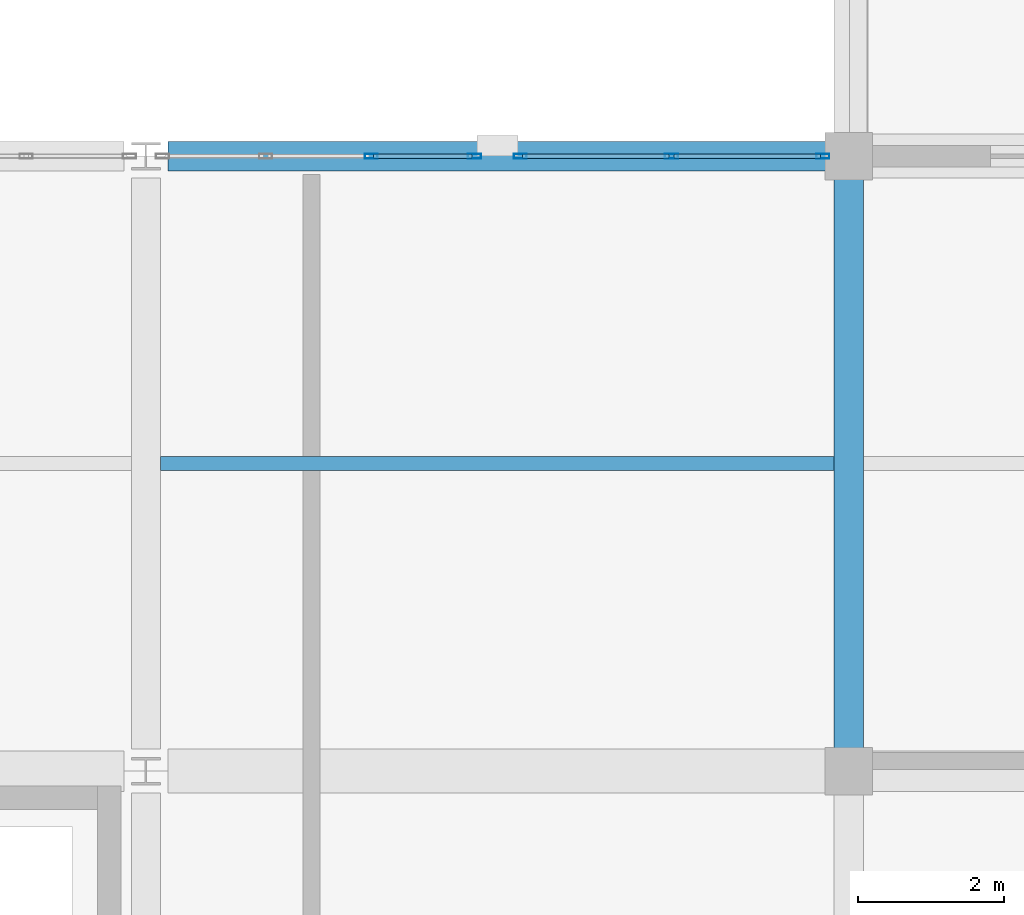
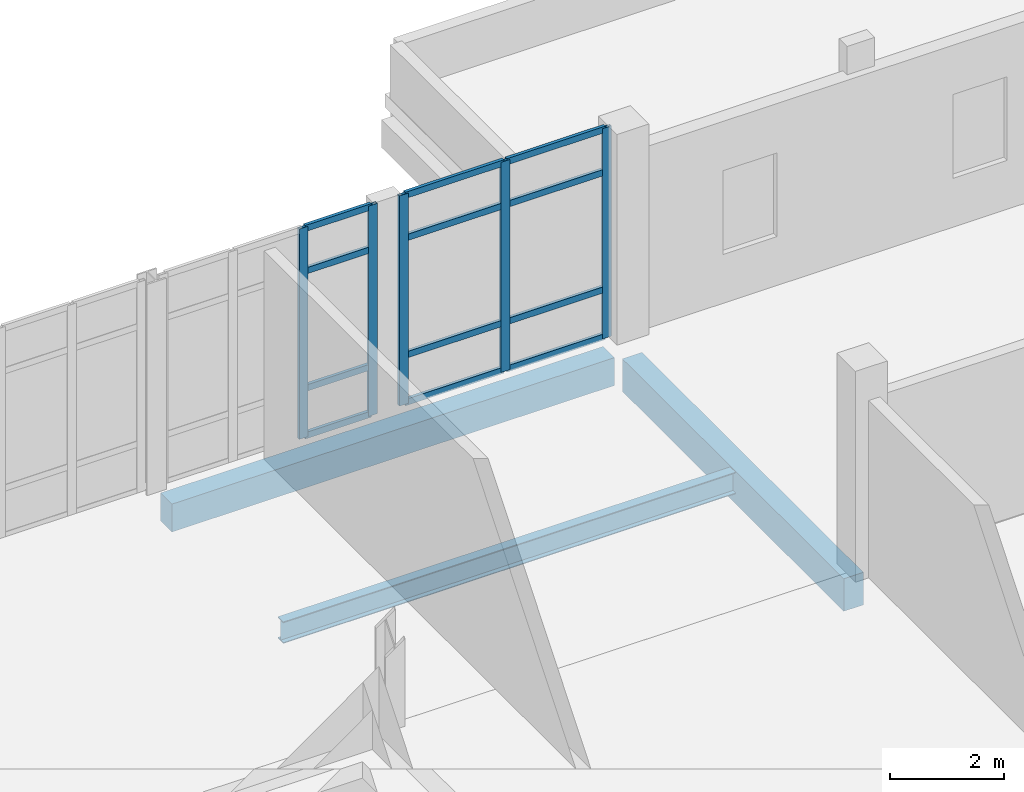
# One storey, part 59 of 102: 17 members, 3 beams, 2 elements without a shape of their own.
"""IFC4 building model written with IfcOpenShell, lengths in metres."""

from ifc_helpers import new_model, si_unit, direction, frame, origin, origin_2d, place, context, subcontext, project, spatial, rectangle, hollow_rectangle, i_section, extrude, material, layer, layer_set, material_profile, profile_set, type_object, element, aggregate, save


model = new_model("IFC4")

# Units and contexts
model_context = context("Model", 3, precision=1e-05, world=origin(), true_north=direction((0.0, 1.0)))
body_context = subcontext(model_context, "Body", "Model", "MODEL_VIEW")
ifc_project = project(units=[si_unit("LENGTHUNIT", "METRE"), si_unit("AREAUNIT", "SQUARE_METRE"), si_unit("VOLUMEUNIT", "CUBIC_METRE"), si_unit("PLANEANGLEUNIT", "RADIAN"), si_unit("MASSUNIT", "GRAM", prefix="KILO")], contexts=[model_context])

# Site, building, storey
site_placement = place(None, origin())
site = spatial("IfcSite", under=ifc_project, at=site_placement, CompositionType="ELEMENT")
building_placement = place(site_placement, origin())
building = spatial("IfcBuilding", under=site, at=building_placement, Name="Lornevale Opera House", CompositionType="ELEMENT")
storey_placement = place(building_placement, frame((0.0, 0.0, 5.39990234375)))
storey = spatial("IfcBuildingStorey", under=building, at=storey_placement, Name="L02", CompositionType="ELEMENT", Elevation=5.39990234375)

# Beams
ifc_material_1 = material(Name="Concrete 35 MPa (CSA A23.1 N)", Category="concrete")
ifc_material_profile_1 = material_profile(ifc_material_1, rectangle(XDim=0.39990234375, YDim=0.699951171875, at=origin_2d()), Name="RC400x700")
ifc_profile_set_1 = profile_set([ifc_material_profile_1], Name="Concrete 35 MPa (CSA A23.1 N)")
beam_type_1 = type_object("IfcBeamType", Name="Concrete Floor Beam 400x700", PredefinedType="USERDEFINED", material=ifc_profile_set_1)
beam_1_placement = place(storey_placement, frame((38.39990234375, 92.699951171875, -0.699951171875), z_axis=(0.0, 1.0, 0.0), x_axis=(-1.0, 0.0, 0.0)))
element("IfcBeam", 1, at=beam_1_placement, inside=storey, type_object=beam_type_1, Name="Concrete Floor Beam 400x700 1868", ObjectType="GIRDER", PredefinedType="USERDEFINED", context=body_context, shape_type="SweptSolid", body=[
    extrude(rectangle(XDim=0.39990234375, YDim=0.699951171875, at=origin_2d()), origin(), (0.0, 0.0, 1.0), 7.800048828125),
])
ifc_material_profile_2 = material_profile(ifc_material_1, rectangle(XDim=0.39990234375, YDim=0.60009765625, at=origin_2d()), Name="RC400x600")
ifc_profile_set_2 = profile_set([ifc_material_profile_2], Name="Concrete 35 MPa (CSA A23.1 N)")
beam_type_2 = type_object("IfcBeamType", Name="Concrete Spandrel Beam 400x600", PredefinedType="SPANDREL", material=ifc_profile_set_2)
beam_2_placement = place(storey_placement, frame((29.10009765625, 100.800048828125, -0.64990234375), z_axis=(1.0, 0.0, 0.0), x_axis=(0.0, 1.0, 0.0)))
element("IfcBeam", 2, at=beam_2_placement, inside=storey, type_object=beam_type_2, Name="Concrete Spandrel Beam 400x600 1808", PredefinedType="SPANDREL", context=body_context, shape_type="SweptSolid", body=[
    extrude(rectangle(XDim=0.39990234375, YDim=0.60009765625, at=origin_2d()), origin(), (0.0, 0.0, 1.0), 9.0),
])

# Curtain wall, members
ifc_material_2 = material(Name="Anodized Oxide-Green Aluminium Framing", Category="aluminium")
ifc_layer = layer(ifc_material_2, 0.175048828125)
ifc_layer_set = layer_set([ifc_layer], Name="Anodized Oxide-Green Aluminium Framing")
curtain_wall_type = type_object("IfcCurtainWallType", Name="Chamber Cloister Curtain Wall M1700", PredefinedType="NOTDEFINED", material=ifc_layer_set)
curtain_wall_1_placement = place(storey_placement, origin())
curtain_wall_1 = element("IfcCurtainWall", 3, at=curtain_wall_1_placement, inside=storey, type_object=curtain_wall_type, Name="Chamber Cloister Curtain Wall M1700 CW-061", PredefinedType="NOTDEFINED")
ifc_material_profile_3 = material_profile(ifc_material_2, hollow_rectangle(XDim=0.06494140625, YDim=0.179931640625, WallThickness=0.0048828125, at=origin_2d()), Name="ALU65x180x5")
ifc_profile_set_3 = profile_set([ifc_material_profile_3], Name="Anodized Oxide-Green Aluminium Framing")
member_type_1 = type_object("IfcMemberType", Name="Curtain Wall Mullion 65x180", PredefinedType="MULLION", material=ifc_profile_set_3)
member_1_placement = place(storey_placement, frame((31.877685546875, 100.800048828125, 0.0), z_axis=(0.0, 0.0, 1.0), x_axis=(0.0, 1.0, 0.0)))
member_1 = element("IfcMember", 4, at=member_1_placement, type_object=member_type_1, Name="Curtain Wall Mullion 65x180 CW1215", PredefinedType="MULLION", context=body_context, shape_type="SweptSolid", body=[
    extrude(hollow_rectangle(XDim=0.06494140625, YDim=0.179931640625, WallThickness=0.0048828125, at=origin_2d()), origin(), (0.0, 0.0, 1.0), 4.52001953125),
])
member_2_placement = place(storey_placement, frame((33.28759765625, 100.800048828125, 0.0), z_axis=(0.0, 0.0, 1.0), x_axis=(0.0, 1.0, 0.0)))
member_2 = element("IfcMember", 5, at=member_2_placement, type_object=member_type_1, Name="Curtain Wall Mullion 65x180 CW1216", PredefinedType="MULLION", context=body_context, shape_type="SweptSolid", body=[
    extrude(hollow_rectangle(XDim=0.06494140625, YDim=0.179931640625, WallThickness=0.0048828125, at=origin_2d()), origin(), (0.0, 0.0, 1.0), 4.52001953125),
])

curtain_wall_2_placement = place(storey_placement, origin())
curtain_wall_2 = element("IfcCurtainWall", 6, at=curtain_wall_2_placement, inside=storey, type_object=curtain_wall_type, Name="Chamber Cloister Curtain Wall M1700 CW-062", PredefinedType="NOTDEFINED")
member_3_placement = place(storey_placement, frame((33.91259765625, 100.800048828125, 0.0), z_axis=(0.0, 0.0, 1.0), x_axis=(0.0, 1.0, 0.0)))
member_3 = element("IfcMember", 7, at=member_3_placement, type_object=member_type_1, Name="Curtain Wall Mullion 65x180 CW1238", PredefinedType="MULLION", context=body_context, shape_type="SweptSolid", body=[
    extrude(hollow_rectangle(XDim=0.06494140625, YDim=0.179931640625, WallThickness=0.0048828125, at=origin_2d()), origin(), (0.0, 0.0, 1.0), 4.52001953125),
])
member_4_placement = place(storey_placement, frame((35.9794921875, 100.800048828125, 0.0), z_axis=(0.0, 0.0, 1.0), x_axis=(0.0, 1.0, 0.0)))
member_4 = element("IfcMember", 8, at=member_4_placement, type_object=member_type_1, Name="Curtain Wall Mullion 65x180 CW1239", PredefinedType="MULLION", context=body_context, shape_type="SweptSolid", body=[
    extrude(hollow_rectangle(XDim=0.06494140625, YDim=0.179931640625, WallThickness=0.0048828125, at=origin_2d()), origin(), (0.0, 0.0, 1.0), 4.52001953125),
])
member_5_placement = place(storey_placement, frame((38.04638671875, 100.800048828125, 0.0), z_axis=(0.0, 0.0, 1.0), x_axis=(0.0, 1.0, 0.0)))
member_5 = element("IfcMember", 9, at=member_5_placement, type_object=member_type_1, Name="Curtain Wall Mullion 65x180 CW1240", PredefinedType="MULLION", context=body_context, shape_type="SweptSolid", body=[
    extrude(hollow_rectangle(XDim=0.06494140625, YDim=0.179931640625, WallThickness=0.0048828125, at=origin_2d()), origin(), (0.0, 0.0, 1.0), 4.52001953125),
])

# Member
ifc_material_profile_4 = material_profile(ifc_material_2, hollow_rectangle(XDim=0.06494140625, YDim=0.135009765625, WallThickness=0.00390625, at=origin_2d()), Name="ALU65x135x4")
ifc_profile_set_4 = profile_set([ifc_material_profile_4], Name="Anodized Oxide-Green Aluminium Framing")
member_type_2 = type_object("IfcMemberType", Name="Curtain Wall Transom 65x135", PredefinedType="USERDEFINED", material=ifc_profile_set_4)
member_6_placement = place(storey_placement, frame((31.91015625, 100.800048828125, 0.03271484375), z_axis=(1.0, 0.0, 0.0), x_axis=(0.0, 1.0, 0.0)))
member_6 = element("IfcMember", 10, at=member_6_placement, type_object=member_type_2, Name="Curtain Wall Transom 65x135 CW1231", ObjectType="TRANSOM", PredefinedType="USERDEFINED", context=body_context, shape_type="SweptSolid", body=[
    extrude(hollow_rectangle(XDim=0.06494140625, YDim=0.135009765625, WallThickness=0.00390625, at=origin_2d()), origin(), (0.0, 0.0, 1.0), 1.3447265625),
])

member_7_placement = place(storey_placement, frame((31.91015625, 100.800048828125, 1.050048828125), z_axis=(1.0, 0.0, 0.0), x_axis=(0.0, 1.0, 0.0)))
member_7 = element("IfcMember", 11, at=member_7_placement, type_object=member_type_2, Name="Curtain Wall Transom 65x135 CW1232", ObjectType="TRANSOM", PredefinedType="USERDEFINED", context=body_context, shape_type="SweptSolid", body=[
    extrude(hollow_rectangle(XDim=0.06494140625, YDim=0.135009765625, WallThickness=0.00390625, at=origin_2d()), origin(), (0.0, 0.0, 1.0), 1.3447265625),
])

member_8_placement = place(storey_placement, frame((31.91015625, 100.800048828125, 3.570068359375), z_axis=(1.0, 0.0, 0.0), x_axis=(0.0, 1.0, 0.0)))
member_8 = element("IfcMember", 12, at=member_8_placement, type_object=member_type_2, Name="Curtain Wall Transom 65x135 CW1233", ObjectType="TRANSOM", PredefinedType="USERDEFINED", context=body_context, shape_type="SweptSolid", body=[
    extrude(hollow_rectangle(XDim=0.06494140625, YDim=0.135009765625, WallThickness=0.00390625, at=origin_2d()), origin(), (0.0, 0.0, 1.0), 1.3447265625),
])

member_9_placement = place(storey_placement, frame((31.91015625, 100.800048828125, 4.487548828125), z_axis=(1.0, 0.0, 0.0), x_axis=(0.0, 1.0, 0.0)))
member_9 = element("IfcMember", 13, at=member_9_placement, type_object=member_type_2, Name="Curtain Wall Transom 65x135 CW1234", ObjectType="TRANSOM", PredefinedType="USERDEFINED", context=body_context, shape_type="SweptSolid", body=[
    extrude(hollow_rectangle(XDim=0.06494140625, YDim=0.135009765625, WallThickness=0.00390625, at=origin_2d()), origin(), (0.0, 0.0, 1.0), 1.3447265625),
])

aggregate(curtain_wall_1, [member_1, member_2, member_6, member_7, member_8, member_9])

member_10_placement = place(storey_placement, frame((33.945068359375, 100.800048828125, 0.03271484375), z_axis=(1.0, 0.0, 0.0), x_axis=(0.0, 1.0, 0.0)))
member_10 = element("IfcMember", 14, at=member_10_placement, type_object=member_type_2, Name="Curtain Wall Transom 65x135 CW1241", ObjectType="TRANSOM", PredefinedType="USERDEFINED", context=body_context, shape_type="SweptSolid", body=[
    extrude(hollow_rectangle(XDim=0.06494140625, YDim=0.135009765625, WallThickness=0.00390625, at=origin_2d()), origin(), (0.0, 0.0, 1.0), 2.001953125),
])

member_11_placement = place(storey_placement, frame((33.945068359375, 100.800048828125, 1.050048828125), z_axis=(1.0, 0.0, 0.0), x_axis=(0.0, 1.0, 0.0)))
member_11 = element("IfcMember", 15, at=member_11_placement, type_object=member_type_2, Name="Curtain Wall Transom 65x135 CW1242", ObjectType="TRANSOM", PredefinedType="USERDEFINED", context=body_context, shape_type="SweptSolid", body=[
    extrude(hollow_rectangle(XDim=0.06494140625, YDim=0.135009765625, WallThickness=0.00390625, at=origin_2d()), origin(), (0.0, 0.0, 1.0), 2.001953125),
])

member_12_placement = place(storey_placement, frame((33.945068359375, 100.800048828125, 3.570068359375), z_axis=(1.0, 0.0, 0.0), x_axis=(0.0, 1.0, 0.0)))
member_12 = element("IfcMember", 16, at=member_12_placement, type_object=member_type_2, Name="Curtain Wall Transom 65x135 CW1243", ObjectType="TRANSOM", PredefinedType="USERDEFINED", context=body_context, shape_type="SweptSolid", body=[
    extrude(hollow_rectangle(XDim=0.06494140625, YDim=0.135009765625, WallThickness=0.00390625, at=origin_2d()), origin(), (0.0, 0.0, 1.0), 2.001953125),
])

member_13_placement = place(storey_placement, frame((33.945068359375, 100.800048828125, 4.487548828125), z_axis=(1.0, 0.0, 0.0), x_axis=(0.0, 1.0, 0.0)))
member_13 = element("IfcMember", 17, at=member_13_placement, type_object=member_type_2, Name="Curtain Wall Transom 65x135 CW1244", ObjectType="TRANSOM", PredefinedType="USERDEFINED", context=body_context, shape_type="SweptSolid", body=[
    extrude(hollow_rectangle(XDim=0.06494140625, YDim=0.135009765625, WallThickness=0.00390625, at=origin_2d()), origin(), (0.0, 0.0, 1.0), 2.001953125),
])

member_14_placement = place(storey_placement, frame((36.011962890625, 100.800048828125, 0.03271484375), z_axis=(1.0, 0.0, 0.0), x_axis=(0.0, 1.0, 0.0)))
member_14 = element("IfcMember", 18, at=member_14_placement, type_object=member_type_2, Name="Curtain Wall Transom 65x135 CW1248", ObjectType="TRANSOM", PredefinedType="USERDEFINED", context=body_context, shape_type="SweptSolid", body=[
    extrude(hollow_rectangle(XDim=0.06494140625, YDim=0.135009765625, WallThickness=0.00390625, at=origin_2d()), origin(), (0.0, 0.0, 1.0), 2.001953125),
])

member_15_placement = place(storey_placement, frame((36.011962890625, 100.800048828125, 1.050048828125), z_axis=(1.0, 0.0, 0.0), x_axis=(0.0, 1.0, 0.0)))
member_15 = element("IfcMember", 19, at=member_15_placement, type_object=member_type_2, Name="Curtain Wall Transom 65x135 CW1249", ObjectType="TRANSOM", PredefinedType="USERDEFINED", context=body_context, shape_type="SweptSolid", body=[
    extrude(hollow_rectangle(XDim=0.06494140625, YDim=0.135009765625, WallThickness=0.00390625, at=origin_2d()), origin(), (0.0, 0.0, 1.0), 2.001953125),
])

member_16_placement = place(storey_placement, frame((36.011962890625, 100.800048828125, 3.570068359375), z_axis=(1.0, 0.0, 0.0), x_axis=(0.0, 1.0, 0.0)))
member_16 = element("IfcMember", 20, at=member_16_placement, type_object=member_type_2, Name="Curtain Wall Transom 65x135 CW1250", ObjectType="TRANSOM", PredefinedType="USERDEFINED", context=body_context, shape_type="SweptSolid", body=[
    extrude(hollow_rectangle(XDim=0.06494140625, YDim=0.135009765625, WallThickness=0.00390625, at=origin_2d()), origin(), (0.0, 0.0, 1.0), 2.001953125),
])

member_17_placement = place(storey_placement, frame((36.011962890625, 100.800048828125, 4.487548828125), z_axis=(1.0, 0.0, 0.0), x_axis=(0.0, 1.0, 0.0)))
member_17 = element("IfcMember", 21, at=member_17_placement, type_object=member_type_2, Name="Curtain Wall Transom 65x135 CW1251", ObjectType="TRANSOM", PredefinedType="USERDEFINED", context=body_context, shape_type="SweptSolid", body=[
    extrude(hollow_rectangle(XDim=0.06494140625, YDim=0.135009765625, WallThickness=0.00390625, at=origin_2d()), origin(), (0.0, 0.0, 1.0), 2.001953125),
])

aggregate(curtain_wall_2, [member_3, member_4, member_5, member_10, member_11, member_12, member_13, member_14, member_15, member_16, member_17])

# Beam
ifc_material_3 = material(Name="Structural Steel CSA G40.21 Grade 350W (350 MPa)", Category="steel")
ifc_material_profile_5 = material_profile(ifc_material_3, i_section(OverallWidth=0.19189453125, OverallDepth=0.462890625, WebThickness=0.010498046875, FlangeThickness=0.017578125, at=origin_2d()), Name="W460x89")
ifc_profile_set_5 = profile_set([ifc_material_profile_5], Name="Structural Steel CSA G40.21 Grade 350W (350 MPa)")
beam_type_3 = type_object("IfcBeamType", Name="Steel Floor Joist W460x89", PredefinedType="JOIST", material=ifc_profile_set_5)
beam_3_placement = place(storey_placement, frame((29.0, 96.60009765625, -0.596435546875), z_axis=(1.0, 0.0, 0.0), x_axis=(0.0, 1.0, 0.0)))
element("IfcBeam", 22, at=beam_3_placement, inside=storey, type_object=beam_type_3, Name="Steel Floor Joist W460x89 2001", PredefinedType="JOIST", context=body_context, shape_type="SweptSolid", body=[
    extrude(i_section(OverallWidth=0.19189453125, OverallDepth=0.462890625, WebThickness=0.010498046875, FlangeThickness=0.017578125, at=origin_2d()), origin(), (0.0, 0.0, 1.0), 9.199951171875),
])

save(model, "model.ifc")
